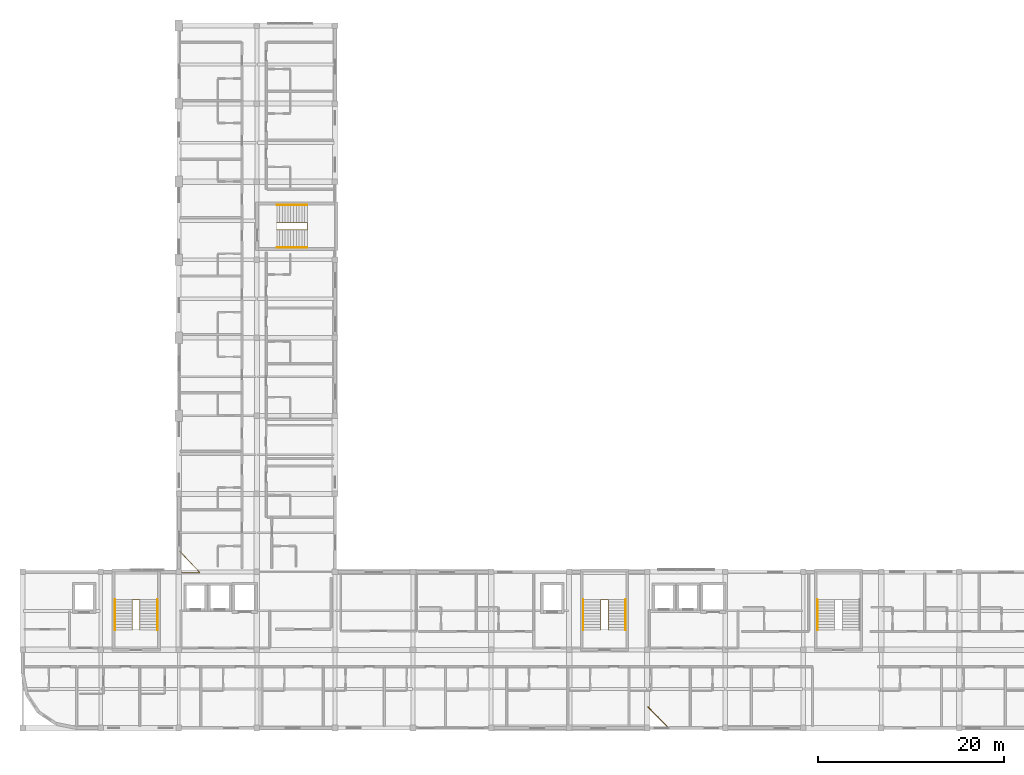
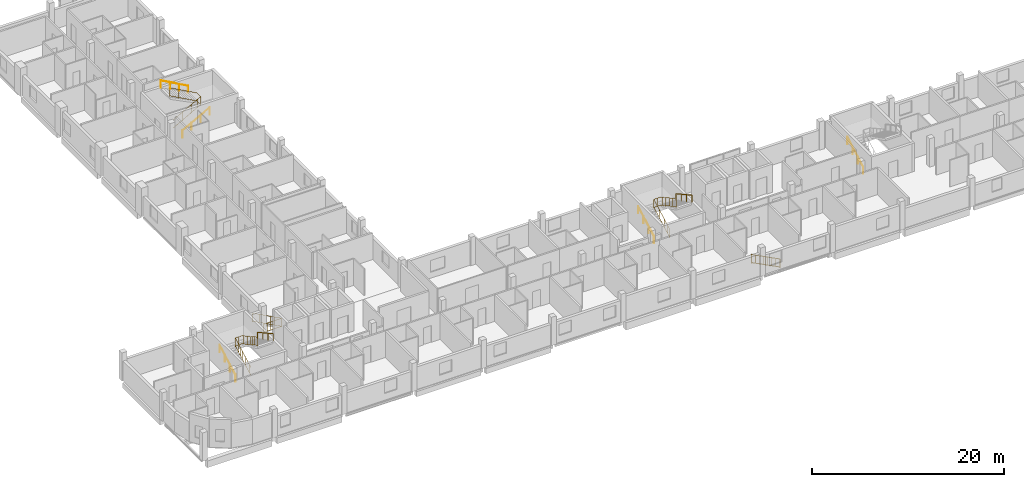
# One storey, part 23 of 24: 12 railings.
"""IFC4 building model written with IfcOpenShell, lengths in metres."""

from ifc_helpers import new_model, si_unit, derived_unit, direction, frame, origin, origin_2d, place, context, subcontext, project, spatial, circle, extrude, material, layer, layer_set, type_object, element, save


model = new_model("IFC4")

# Units and contexts
model_context = context("Model", 3, precision=1e-05, world=origin(), true_north=direction((0.0, 1.0)))
body_context = subcontext(model_context, "Body", "Model", "MODEL_VIEW")
ifc_project = project(units=[si_unit("LENGTHUNIT", "METRE"), si_unit("AREAUNIT", "SQUARE_METRE"), si_unit("VOLUMEUNIT", "CUBIC_METRE"), si_unit("PLANEANGLEUNIT", "RADIAN"), si_unit("MASSUNIT", "GRAM", prefix="KILO"), derived_unit("THERMALTRANSMITTANCEUNIT", [(si_unit("POWERUNIT", "WATT"), 1), (si_unit("LENGTHUNIT", "METRE"), -2), (si_unit("THERMODYNAMICTEMPERATUREUNIT", "KELVIN"), -1)])], contexts=[model_context])

# Site, building, storey
site_placement = place(None, origin())
site = spatial("IfcSite", under=ifc_project, at=site_placement, CompositionType="ELEMENT")
building_placement = place(site_placement, origin())
building = spatial("IfcBuilding", under=site, at=building_placement, Name="Barrovel Congress Hotel", CompositionType="ELEMENT")
storey_placement = place(building_placement, frame((0.0, 0.0, 29.10009765625)))
storey = spatial("IfcBuildingStorey", under=building, at=storey_placement, Name="L07", CompositionType="ELEMENT", Elevation=29.10009765625)

# Railings
ifc_material_1 = material(Name="Painted Architectural Steel", Category="steel")
ifc_layer_1 = layer(ifc_material_1, 0.070068359375)
ifc_layer_set_1 = layer_set([ifc_layer_1], Name="Painted Architectural Steel")
railing_type_1 = type_object("IfcRailingType", Name="RAIL-GUARD-INT", PredefinedType="BALUSTRADE", material=ifc_layer_set_1)
railing_1_placement = place(storey_placement, frame((28.60009765625, 14.739990234375, 0.0)))
element("IfcRailing", 1, at=railing_1_placement, inside=storey, type_object=railing_type_1, Name="STAIR:XS-01:L07:GR-W", PredefinedType="BALUSTRADE", context=body_context, shape_type="SweptSolid", body=[
    extrude(circle(Radius=0.02392578125, at=origin_2d()), frame((0.0, 0.0, 1.11572265625), z_axis=(0.0, 0.87606948578, 0.482184877495), x_axis=(-1.0, 0.0, 0.0)), (0.0, 0.0, 1.0), 3.732666015625),
    extrude(circle(Radius=0.02392578125, at=origin_2d()), frame((0.0, 0.0, 0.10009765625), z_axis=(0.0, 0.87606948578, 0.482184877495), x_axis=(-1.0, 0.0, 0.0)), (0.0, 0.0, 1.0), 3.732666015625),
    extrude(circle(Radius=0.010009765625, at=origin_2d()), frame((0.0, 0.36328125, 0.300048828125)), (0.0, 0.0, 1.0), 0.99169921875),
    extrude(circle(Radius=0.010009765625, at=origin_2d()), frame((0.0, 0.7265625, 0.5)), (0.0, 0.0, 1.0), 0.99169921875),
    extrude(circle(Radius=0.010009765625, at=origin_2d()), frame((0.0, 1.090087890625, 0.699951171875)), (0.0, 0.0, 1.0), 0.99169921875),
    extrude(circle(Radius=0.010009765625, at=origin_2d()), frame((0.0, 1.453369140625, 0.89990234375)), (0.0, 0.0, 1.0), 0.99169921875),
    extrude(circle(Radius=0.010009765625, at=origin_2d()), frame((0.0, 1.816650390625, 1.099853515625)), (0.0, 0.0, 1.0), 0.99169921875),
    extrude(circle(Radius=0.010009765625, at=origin_2d()), frame((0.0, 2.179931640625, 1.2998046875)), (0.0, 0.0, 1.0), 0.99169921875),
    extrude(circle(Radius=0.010009765625, at=origin_2d()), frame((0.0, 2.54345703125, 1.499755859375)), (0.0, 0.0, 1.0), 0.99169921875),
    extrude(circle(Radius=0.010009765625, at=origin_2d()), frame((0.0, 2.90673828125, 1.69970703125)), (0.0, 0.0, 1.0), 0.99169921875),
    extrude(circle(Radius=0.02392578125, at=origin_2d()), frame((0.0, 3.27001953125, 2.91552734375), z_axis=(1.0, 0.0, 0.0), x_axis=(0.0, 1.0, 0.0)), (0.0, 0.0, 1.0), 0.7998046875),
    extrude(circle(Radius=0.02392578125, at=origin_2d()), frame((0.0, 3.27001953125, 1.89990234375), z_axis=(1.0, 0.0, 0.0), x_axis=(0.0, 1.0, 0.0)), (0.0, 0.0, 1.0), 0.7998046875),
    extrude(circle(Radius=0.010009765625, at=origin_2d()), frame((0.39990234375, 3.27001953125, 1.89990234375)), (0.0, 0.0, 1.0), 0.99169921875),
    extrude(circle(Radius=0.02392578125, at=origin_2d()), frame((0.7998046875, 3.27001953125, 2.91552734375), z_axis=(0.0, -0.876041855244, 0.482235075311), x_axis=(1.0, 0.0, 0.0)), (0.0, 0.0, 1.0), 3.732666015625),
    extrude(circle(Radius=0.02392578125, at=origin_2d()), frame((0.7998046875, 3.27001953125, 1.89990234375), z_axis=(0.0, -0.876041855244, 0.482235075311), x_axis=(1.0, 0.0, 0.0)), (0.0, 0.0, 1.0), 3.732666015625),
    extrude(circle(Radius=0.010009765625, at=origin_2d()), frame((0.7998046875, 2.90673828125, 2.099853515625)), (0.0, 0.0, 1.0), 0.99169921875),
    extrude(circle(Radius=0.010009765625, at=origin_2d()), frame((0.7998046875, 2.54345703125, 2.2998046875)), (0.0, 0.0, 1.0), 0.99169921875),
    extrude(circle(Radius=0.010009765625, at=origin_2d()), frame((0.7998046875, 2.179931640625, 2.499755859375)), (0.0, 0.0, 1.0), 0.99169921875),
    extrude(circle(Radius=0.010009765625, at=origin_2d()), frame((0.7998046875, 1.816650390625, 2.69970703125)), (0.0, 0.0, 1.0), 0.99169921875),
    extrude(circle(Radius=0.010009765625, at=origin_2d()), frame((0.7998046875, 1.453369140625, 2.89990234375)), (0.0, 0.0, 1.0), 0.99169921875),
    extrude(circle(Radius=0.010009765625, at=origin_2d()), frame((0.7998046875, 1.090087890625, 3.099853515625)), (0.0, 0.0, 1.0), 0.99169921875),
    extrude(circle(Radius=0.010009765625, at=origin_2d()), frame((0.7998046875, 0.7265625, 3.2998046875)), (0.0, 0.0, 1.0), 0.99169921875),
    extrude(circle(Radius=0.010009765625, at=origin_2d()), frame((0.7998046875, 0.36328125, 3.499755859375)), (0.0, 0.0, 1.0), 0.99169921875),
    extrude(circle(Radius=0.02099609375, at=origin_2d()), origin(), (0.0, 0.0, 1.0), 1.091796875),
    extrude(circle(Radius=0.02099609375, at=origin_2d()), frame((0.0, 1.090087890625, 0.599853515625)), (0.0, 0.0, 1.0), 1.091796875),
    extrude(circle(Radius=0.02099609375, at=origin_2d()), frame((0.0, 2.179931640625, 1.199951171875)), (0.0, 0.0, 1.0), 1.091796875),
    extrude(circle(Radius=0.02099609375, at=origin_2d()), frame((0.0, 3.27001953125, 1.7998046875)), (0.0, 0.0, 1.0), 1.091796875),
    extrude(circle(Radius=0.02099609375, at=origin_2d()), frame((0.7998046875, 3.27001953125, 1.7998046875)), (0.0, 0.0, 1.0), 1.091796875),
    extrude(circle(Radius=0.02099609375, at=origin_2d()), frame((0.7998046875, 2.179931640625, 2.39990234375)), (0.0, 0.0, 1.0), 1.091796875),
    extrude(circle(Radius=0.02099609375, at=origin_2d()), frame((0.7998046875, 1.090087890625, 2.999755859375)), (0.0, 0.0, 1.0), 1.091796875),
    extrude(circle(Radius=0.02099609375, at=origin_2d()), frame((0.7998046875, 0.0, 3.599853515625)), (0.0, 0.0, 1.0), 1.091796875),
])
railing_2_placement = place(storey_placement, frame((79.0, 14.739990234375, 0.0)))
element("IfcRailing", 2, at=railing_2_placement, inside=storey, type_object=railing_type_1, Name="STAIR:XS-02:L07:GR-W", PredefinedType="BALUSTRADE", context=body_context, shape_type="SweptSolid", body=[
    extrude(circle(Radius=0.02392578125, at=origin_2d()), frame((0.0, 0.0, 1.11572265625), z_axis=(0.0, 0.87606948578, 0.482184877495), x_axis=(-1.0, 0.0, 0.0)), (0.0, 0.0, 1.0), 3.732666015625),
    extrude(circle(Radius=0.02392578125, at=origin_2d()), frame((0.0, 0.0, 0.10009765625), z_axis=(0.0, 0.87606948578, 0.482184877495), x_axis=(-1.0, 0.0, 0.0)), (0.0, 0.0, 1.0), 3.732666015625),
    extrude(circle(Radius=0.010009765625, at=origin_2d()), frame((0.0, 0.36328125, 0.300048828125)), (0.0, 0.0, 1.0), 0.99169921875),
    extrude(circle(Radius=0.010009765625, at=origin_2d()), frame((0.0, 0.7265625, 0.5)), (0.0, 0.0, 1.0), 0.99169921875),
    extrude(circle(Radius=0.010009765625, at=origin_2d()), frame((0.0, 1.090087890625, 0.699951171875)), (0.0, 0.0, 1.0), 0.99169921875),
    extrude(circle(Radius=0.010009765625, at=origin_2d()), frame((0.0, 1.453369140625, 0.89990234375)), (0.0, 0.0, 1.0), 0.99169921875),
    extrude(circle(Radius=0.010009765625, at=origin_2d()), frame((0.0, 1.816650390625, 1.099853515625)), (0.0, 0.0, 1.0), 0.99169921875),
    extrude(circle(Radius=0.010009765625, at=origin_2d()), frame((0.0, 2.179931640625, 1.2998046875)), (0.0, 0.0, 1.0), 0.99169921875),
    extrude(circle(Radius=0.010009765625, at=origin_2d()), frame((0.0, 2.54345703125, 1.499755859375)), (0.0, 0.0, 1.0), 0.99169921875),
    extrude(circle(Radius=0.010009765625, at=origin_2d()), frame((0.0, 2.90673828125, 1.69970703125)), (0.0, 0.0, 1.0), 0.99169921875),
    extrude(circle(Radius=0.02392578125, at=origin_2d()), frame((0.0, 3.27001953125, 2.91552734375), z_axis=(1.0, 0.0, 0.0), x_axis=(0.0, 1.0, 0.0)), (0.0, 0.0, 1.0), 0.800048828125),
    extrude(circle(Radius=0.02392578125, at=origin_2d()), frame((0.0, 3.27001953125, 1.89990234375), z_axis=(1.0, 0.0, 0.0), x_axis=(0.0, 1.0, 0.0)), (0.0, 0.0, 1.0), 0.800048828125),
    extrude(circle(Radius=0.010009765625, at=origin_2d()), frame((0.39990234375, 3.27001953125, 1.89990234375)), (0.0, 0.0, 1.0), 0.99169921875),
    extrude(circle(Radius=0.02392578125, at=origin_2d()), frame((0.800048828125, 3.27001953125, 2.91552734375), z_axis=(0.0, -0.876041855244, 0.482235075311), x_axis=(1.0, 0.0, 0.0)), (0.0, 0.0, 1.0), 3.732666015625),
    extrude(circle(Radius=0.02392578125, at=origin_2d()), frame((0.800048828125, 3.27001953125, 1.89990234375), z_axis=(0.0, -0.876041855244, 0.482235075311), x_axis=(1.0, 0.0, 0.0)), (0.0, 0.0, 1.0), 3.732666015625),
    extrude(circle(Radius=0.010009765625, at=origin_2d()), frame((0.800048828125, 2.90673828125, 2.099853515625)), (0.0, 0.0, 1.0), 0.99169921875),
    extrude(circle(Radius=0.010009765625, at=origin_2d()), frame((0.800048828125, 2.54345703125, 2.2998046875)), (0.0, 0.0, 1.0), 0.99169921875),
    extrude(circle(Radius=0.010009765625, at=origin_2d()), frame((0.800048828125, 2.179931640625, 2.499755859375)), (0.0, 0.0, 1.0), 0.99169921875),
    extrude(circle(Radius=0.010009765625, at=origin_2d()), frame((0.800048828125, 1.816650390625, 2.69970703125)), (0.0, 0.0, 1.0), 0.99169921875),
    extrude(circle(Radius=0.010009765625, at=origin_2d()), frame((0.800048828125, 1.453369140625, 2.89990234375)), (0.0, 0.0, 1.0), 0.99169921875),
    extrude(circle(Radius=0.010009765625, at=origin_2d()), frame((0.800048828125, 1.090087890625, 3.099853515625)), (0.0, 0.0, 1.0), 0.99169921875),
    extrude(circle(Radius=0.010009765625, at=origin_2d()), frame((0.800048828125, 0.7265625, 3.2998046875)), (0.0, 0.0, 1.0), 0.99169921875),
    extrude(circle(Radius=0.010009765625, at=origin_2d()), frame((0.800048828125, 0.36328125, 3.499755859375)), (0.0, 0.0, 1.0), 0.99169921875),
    extrude(circle(Radius=0.02099609375, at=origin_2d()), origin(), (0.0, 0.0, 1.0), 1.091796875),
    extrude(circle(Radius=0.02099609375, at=origin_2d()), frame((0.0, 1.090087890625, 0.599853515625)), (0.0, 0.0, 1.0), 1.091796875),
    extrude(circle(Radius=0.02099609375, at=origin_2d()), frame((0.0, 2.179931640625, 1.199951171875)), (0.0, 0.0, 1.0), 1.091796875),
    extrude(circle(Radius=0.02099609375, at=origin_2d()), frame((0.0, 3.27001953125, 1.7998046875)), (0.0, 0.0, 1.0), 1.091796875),
    extrude(circle(Radius=0.02099609375, at=origin_2d()), frame((0.800048828125, 3.27001953125, 1.7998046875)), (0.0, 0.0, 1.0), 1.091796875),
    extrude(circle(Radius=0.02099609375, at=origin_2d()), frame((0.800048828125, 2.179931640625, 2.39990234375)), (0.0, 0.0, 1.0), 1.091796875),
    extrude(circle(Radius=0.02099609375, at=origin_2d()), frame((0.800048828125, 1.090087890625, 2.999755859375)), (0.0, 0.0, 1.0), 1.091796875),
    extrude(circle(Radius=0.02099609375, at=origin_2d()), frame((0.800048828125, 0.0, 3.599853515625)), (0.0, 0.0, 1.0), 1.091796875),
])
railing_3_placement = place(storey_placement, frame((44.139892578125, 57.820068359375, 0.0)))
element("IfcRailing", 3, at=railing_3_placement, inside=storey, type_object=railing_type_1, Name="STAIR:XS-05:L07:GR-W", PredefinedType="BALUSTRADE", context=body_context, shape_type="SweptSolid", body=[
    extrude(circle(Radius=0.02392578125, at=origin_2d()), frame((0.0, 0.0, 1.11572265625), z_axis=(0.87606948578, 0.0, 0.482184877495), x_axis=(0.0, 1.0, 0.0)), (0.0, 0.0, 1.0), 3.732666015625),
    extrude(circle(Radius=0.02392578125, at=origin_2d()), frame((0.0, 0.0, 0.10009765625), z_axis=(0.87606948578, 0.0, 0.482184877495), x_axis=(0.0, 1.0, 0.0)), (0.0, 0.0, 1.0), 3.732666015625),
    extrude(circle(Radius=0.010009765625, at=origin_2d()), frame((0.36328125, 0.0, 0.300048828125)), (0.0, 0.0, 1.0), 0.99169921875),
    extrude(circle(Radius=0.010009765625, at=origin_2d()), frame((0.7265625, 0.0, 0.5)), (0.0, 0.0, 1.0), 0.99169921875),
    extrude(circle(Radius=0.010009765625, at=origin_2d()), frame((1.090087890625, 0.0, 0.699951171875)), (0.0, 0.0, 1.0), 0.99169921875),
    extrude(circle(Radius=0.010009765625, at=origin_2d()), frame((1.453369140625, 0.0, 0.89990234375)), (0.0, 0.0, 1.0), 0.99169921875),
    extrude(circle(Radius=0.010009765625, at=origin_2d()), frame((1.816650390625, 0.0, 1.099853515625)), (0.0, 0.0, 1.0), 0.99169921875),
    extrude(circle(Radius=0.010009765625, at=origin_2d()), frame((2.179931640625, 0.0, 1.2998046875)), (0.0, 0.0, 1.0), 0.99169921875),
    extrude(circle(Radius=0.010009765625, at=origin_2d()), frame((2.54345703125, 0.0, 1.499755859375)), (0.0, 0.0, 1.0), 0.99169921875),
    extrude(circle(Radius=0.010009765625, at=origin_2d()), frame((2.90673828125, 0.0, 1.69970703125)), (0.0, 0.0, 1.0), 0.99169921875),
    extrude(circle(Radius=0.02392578125, at=origin_2d()), frame((3.27001953125, 0.0, 2.91552734375), z_axis=(0.0, 1.0, 0.0), x_axis=(-1.0, 0.0, 0.0)), (0.0, 0.0, 1.0), 0.760009765625),
    extrude(circle(Radius=0.02392578125, at=origin_2d()), frame((3.27001953125, 0.0, 1.89990234375), z_axis=(0.0, 1.0, 0.0), x_axis=(-1.0, 0.0, 0.0)), (0.0, 0.0, 1.0), 0.760009765625),
    extrude(circle(Radius=0.010009765625, at=origin_2d()), frame((3.27001953125, 0.3798828125, 1.89990234375)), (0.0, 0.0, 1.0), 0.99169921875),
    extrude(circle(Radius=0.02392578125, at=origin_2d()), frame((3.27001953125, 0.760009765625, 2.91552734375), z_axis=(-0.876041855244, 0.0, 0.482235075311), x_axis=(0.0, -1.0, 0.0)), (0.0, 0.0, 1.0), 3.732666015625),
    extrude(circle(Radius=0.02392578125, at=origin_2d()), frame((3.27001953125, 0.760009765625, 1.89990234375), z_axis=(-0.876041855244, 0.0, 0.482235075311), x_axis=(0.0, -1.0, 0.0)), (0.0, 0.0, 1.0), 3.732666015625),
    extrude(circle(Radius=0.010009765625, at=origin_2d()), frame((2.90673828125, 0.760009765625, 2.099853515625)), (0.0, 0.0, 1.0), 0.99169921875),
    extrude(circle(Radius=0.010009765625, at=origin_2d()), frame((2.54345703125, 0.760009765625, 2.2998046875)), (0.0, 0.0, 1.0), 0.99169921875),
    extrude(circle(Radius=0.010009765625, at=origin_2d()), frame((2.179931640625, 0.760009765625, 2.499755859375)), (0.0, 0.0, 1.0), 0.99169921875),
    extrude(circle(Radius=0.010009765625, at=origin_2d()), frame((1.816650390625, 0.760009765625, 2.69970703125)), (0.0, 0.0, 1.0), 0.99169921875),
    extrude(circle(Radius=0.010009765625, at=origin_2d()), frame((1.453369140625, 0.760009765625, 2.89990234375)), (0.0, 0.0, 1.0), 0.99169921875),
    extrude(circle(Radius=0.010009765625, at=origin_2d()), frame((1.090087890625, 0.760009765625, 3.099853515625)), (0.0, 0.0, 1.0), 0.99169921875),
    extrude(circle(Radius=0.010009765625, at=origin_2d()), frame((0.7265625, 0.760009765625, 3.2998046875)), (0.0, 0.0, 1.0), 0.99169921875),
    extrude(circle(Radius=0.010009765625, at=origin_2d()), frame((0.36328125, 0.760009765625, 3.499755859375)), (0.0, 0.0, 1.0), 0.99169921875),
    extrude(circle(Radius=0.02099609375, at=origin_2d()), origin(), (0.0, 0.0, 1.0), 1.091796875),
    extrude(circle(Radius=0.02099609375, at=origin_2d()), frame((1.090087890625, 0.0, 0.599853515625)), (0.0, 0.0, 1.0), 1.091796875),
    extrude(circle(Radius=0.02099609375, at=origin_2d()), frame((2.179931640625, 0.0, 1.199951171875)), (0.0, 0.0, 1.0), 1.091796875),
    extrude(circle(Radius=0.02099609375, at=origin_2d()), frame((3.27001953125, 0.0, 1.7998046875)), (0.0, 0.0, 1.0), 1.091796875),
    extrude(circle(Radius=0.02099609375, at=origin_2d()), frame((3.27001953125, 0.760009765625, 1.7998046875)), (0.0, 0.0, 1.0), 1.091796875),
    extrude(circle(Radius=0.02099609375, at=origin_2d()), frame((2.179931640625, 0.760009765625, 2.39990234375)), (0.0, 0.0, 1.0), 1.091796875),
    extrude(circle(Radius=0.02099609375, at=origin_2d()), frame((1.090087890625, 0.760009765625, 2.999755859375)), (0.0, 0.0, 1.0), 1.091796875),
    extrude(circle(Radius=0.02099609375, at=origin_2d()), frame((0.0, 0.760009765625, 3.599853515625)), (0.0, 0.0, 1.0), 1.091796875),
])
railing_4_placement = place(storey_placement, frame((33.679931640625, 20.919921875, 0.0)))
element("IfcRailing", 4, at=railing_4_placement, inside=storey, type_object=railing_type_1, Name="RAIL:L07:CG-HW1", PredefinedType="BALUSTRADE", context=body_context, shape_type="SweptSolid", body=[
    extrude(circle(Radius=0.02392578125, at=origin_2d()), frame((0.0, 0.0, 1.11572265625), z_axis=(1.0, 0.0, 0.0), x_axis=(0.0, 1.0, 0.0)), (0.0, 0.0, 1.0), 2.170166015625),
    extrude(circle(Radius=0.02392578125, at=origin_2d()), frame((0.0, 0.0, 0.10009765625), z_axis=(1.0, 0.0, 0.0), x_axis=(0.0, 1.0, 0.0)), (0.0, 0.0, 1.0), 2.170166015625),
    extrude(circle(Radius=0.010009765625, at=origin_2d()), frame((0.43408203125, 0.0, 0.10009765625)), (0.0, 0.0, 1.0), 0.99169921875),
    extrude(circle(Radius=0.010009765625, at=origin_2d()), frame((0.8681640625, 0.0, 0.10009765625)), (0.0, 0.0, 1.0), 0.99169921875),
    extrude(circle(Radius=0.010009765625, at=origin_2d()), frame((1.302001953125, 0.0, 0.10009765625)), (0.0, 0.0, 1.0), 0.99169921875),
    extrude(circle(Radius=0.010009765625, at=origin_2d()), frame((1.736083984375, 0.0, 0.10009765625)), (0.0, 0.0, 1.0), 0.99169921875),
    extrude(circle(Radius=0.02392578125, at=origin_2d()), frame((2.170166015625, 0.0, 1.11572265625), z_axis=(-0.681550229161, 0.731771333909, 0.0), x_axis=(-0.731771333909, -0.681550229161, 0.0)), (0.0, 0.0, 1.0), 3.18408203125),
    extrude(circle(Radius=0.02392578125, at=origin_2d()), frame((2.170166015625, 0.0, 0.10009765625), z_axis=(-0.681550229161, 0.731771333909, 0.0), x_axis=(-0.731771333909, -0.681550229161, 0.0)), (0.0, 0.0, 1.0), 3.18408203125),
    extrude(circle(Radius=0.010009765625, at=origin_2d()), frame((1.89892578125, 0.291259765625, 0.10009765625)), (0.0, 0.0, 1.0), 0.99169921875),
    extrude(circle(Radius=0.010009765625, at=origin_2d()), frame((1.627685546875, 0.58251953125, 0.10009765625)), (0.0, 0.0, 1.0), 0.99169921875),
    extrude(circle(Radius=0.010009765625, at=origin_2d()), frame((1.3564453125, 0.873779296875, 0.10009765625)), (0.0, 0.0, 1.0), 0.99169921875),
    extrude(circle(Radius=0.010009765625, at=origin_2d()), frame((1.0849609375, 1.1650390625, 0.10009765625)), (0.0, 0.0, 1.0), 0.99169921875),
    extrude(circle(Radius=0.010009765625, at=origin_2d()), frame((0.813720703125, 1.456298828125, 0.10009765625)), (0.0, 0.0, 1.0), 0.99169921875),
    extrude(circle(Radius=0.010009765625, at=origin_2d()), frame((0.54248046875, 1.74755859375, 0.10009765625)), (0.0, 0.0, 1.0), 0.99169921875),
    extrude(circle(Radius=0.010009765625, at=origin_2d()), frame((0.271240234375, 2.038818359375, 0.10009765625)), (0.0, 0.0, 1.0), 0.99169921875),
    extrude(circle(Radius=0.02099609375, at=origin_2d()), origin(), (0.0, 0.0, 1.0), 1.091796875),
    extrude(circle(Radius=0.02099609375, at=origin_2d()), frame((1.0849609375, 0.0, 0.0)), (0.0, 0.0, 1.0), 1.091796875),
    extrude(circle(Radius=0.02099609375, at=origin_2d()), frame((2.170166015625, 0.0, 0.0)), (0.0, 0.0, 1.0), 1.091796875),
    extrude(circle(Radius=0.02099609375, at=origin_2d()), frame((1.0849609375, 1.1650390625, 0.0)), (0.0, 0.0, 1.0), 1.091796875),
    extrude(circle(Radius=0.02099609375, at=origin_2d()), frame((0.0, 2.330078125, 0.0)), (0.0, 0.0, 1.0), 1.091796875),
])
railing_5_placement = place(storey_placement, frame((86.25, 4.280029296875, 0.0)))
element("IfcRailing", 5, at=railing_5_placement, inside=storey, type_object=railing_type_1, Name="RAIL:L07:CG-HS2", PredefinedType="BALUSTRADE", context=body_context, shape_type="SweptSolid", body=[
    extrude(circle(Radius=0.02392578125, at=origin_2d()), frame((0.0, 0.0, 1.11572265625), z_axis=(-0.707106781187, 0.707106781187, 0.0), x_axis=(-0.707106781187, -0.707106781187, 0.0)), (0.0, 0.0, 1.0), 3.06884765625),
    extrude(circle(Radius=0.02392578125, at=origin_2d()), frame((0.0, 0.0, 0.10009765625), z_axis=(-0.707106781187, 0.707106781187, 0.0), x_axis=(-0.707106781187, -0.707106781187, 0.0)), (0.0, 0.0, 1.0), 3.06884765625),
    extrude(circle(Radius=0.010009765625, at=origin_2d()), frame((-0.31005859375, 0.31005859375, 0.10009765625)), (0.0, 0.0, 1.0), 0.99169921875),
    extrude(circle(Radius=0.010009765625, at=origin_2d()), frame((-0.619873046875, 0.619873046875, 0.10009765625)), (0.0, 0.0, 1.0), 0.99169921875),
    extrude(circle(Radius=0.010009765625, at=origin_2d()), frame((-0.929931640625, 0.929931640625, 0.10009765625)), (0.0, 0.0, 1.0), 0.99169921875),
    extrude(circle(Radius=0.010009765625, at=origin_2d()), frame((-1.239990234375, 1.239990234375, 0.10009765625)), (0.0, 0.0, 1.0), 0.99169921875),
    extrude(circle(Radius=0.010009765625, at=origin_2d()), frame((-1.550048828125, 1.550048828125, 0.10009765625)), (0.0, 0.0, 1.0), 0.99169921875),
    extrude(circle(Radius=0.010009765625, at=origin_2d()), frame((-1.85986328125, 1.85986328125, 0.10009765625)), (0.0, 0.0, 1.0), 0.99169921875),
    extrude(circle(Radius=0.02099609375, at=origin_2d()), origin(), (0.0, 0.0, 1.0), 1.091796875),
    extrude(circle(Radius=0.02099609375, at=origin_2d()), frame((-1.0849609375, 1.0849609375, 0.0)), (0.0, 0.0, 1.0), 1.091796875),
    extrude(circle(Radius=0.02099609375, at=origin_2d()), frame((-2.169921875, 2.169921875, 0.0)), (0.0, 0.0, 1.0), 1.091796875),
])
ifc_material_2 = material(Name="Brushed Stainless Steel", Category="steel")
ifc_layer_2 = layer(ifc_material_2, 0.050048828125)
ifc_layer_set_2 = layer_set([ifc_layer_2], Name="Brushed Stainless Steel")
railing_type_2 = type_object("IfcRailingType", Name="RAIL-HAND", PredefinedType="HANDRAIL", material=ifc_layer_set_2)
railing_6_placement = place(storey_placement, frame((26.719970703125, 14.739990234375, 0.0)))
element("IfcRailing", 6, at=railing_6_placement, inside=storey, type_object=railing_type_2, Name="STAIR:XS-01:L07:HR-1", PredefinedType="HANDRAIL", context=body_context, shape_type="SweptSolid", body=[
    extrude(circle(Radius=0.02392578125, at=origin_2d()), frame((0.0, 0.0, 0.89599609375), z_axis=(0.0, 0.87606948578, 0.482184877495), x_axis=(-1.0, 0.0, 0.0)), (0.0, 0.0, 1.0), 3.732666015625),
    extrude(circle(Radius=0.02099609375, at=origin_2d()), origin(), (0.0, 0.0, 1.0), 0.871826171875),
    extrude(circle(Radius=0.02099609375, at=origin_2d()), frame((0.0, 1.090087890625, 0.599853515625)), (0.0, 0.0, 1.0), 0.871826171875),
    extrude(circle(Radius=0.02099609375, at=origin_2d()), frame((0.0, 2.179931640625, 1.199951171875)), (0.0, 0.0, 1.0), 0.871826171875),
    extrude(circle(Radius=0.02099609375, at=origin_2d()), frame((0.0, 3.27001953125, 1.7998046875)), (0.0, 0.0, 1.0), 0.871826171875),
])
railing_7_placement = place(storey_placement, frame((31.280029296875, 18.010009765625, 1.7998046875)))
element("IfcRailing", 7, at=railing_7_placement, inside=storey, type_object=railing_type_2, Name="STAIR:XS-01:L07:HR-2", PredefinedType="HANDRAIL", context=body_context, shape_type="SweptSolid", body=[
    extrude(circle(Radius=0.02392578125, at=origin_2d()), frame((0.0, 0.0, 0.89599609375), z_axis=(0.0, -0.876041855244, 0.482235075311), x_axis=(1.0, 0.0, 0.0)), (0.0, 0.0, 1.0), 3.732666015625),
    extrude(circle(Radius=0.02099609375, at=origin_2d()), origin(), (0.0, 0.0, 1.0), 0.871826171875),
    extrude(circle(Radius=0.02099609375, at=origin_2d()), frame((0.0, -1.090087890625, 0.60009765625)), (0.0, 0.0, 1.0), 0.871826171875),
    extrude(circle(Radius=0.02099609375, at=origin_2d()), frame((0.0, -2.179931640625, 1.199951171875)), (0.0, 0.0, 1.0), 0.871826171875),
    extrude(circle(Radius=0.02099609375, at=origin_2d()), frame((0.0, -3.27001953125, 1.800048828125)), (0.0, 0.0, 1.0), 0.871826171875),
])
railing_8_placement = place(storey_placement, frame((77.1201171875, 14.739990234375, 0.0)))
element("IfcRailing", 8, at=railing_8_placement, inside=storey, type_object=railing_type_2, Name="STAIR:XS-02:L07:HR-1", PredefinedType="HANDRAIL", context=body_context, shape_type="SweptSolid", body=[
    extrude(circle(Radius=0.02392578125, at=origin_2d()), frame((0.0, 0.0, 0.89599609375), z_axis=(0.0, 0.87606948578, 0.482184877495), x_axis=(-1.0, 0.0, 0.0)), (0.0, 0.0, 1.0), 3.732666015625),
    extrude(circle(Radius=0.02099609375, at=origin_2d()), origin(), (0.0, 0.0, 1.0), 0.871826171875),
    extrude(circle(Radius=0.02099609375, at=origin_2d()), frame((0.0, 1.090087890625, 0.599853515625)), (0.0, 0.0, 1.0), 0.871826171875),
    extrude(circle(Radius=0.02099609375, at=origin_2d()), frame((0.0, 2.179931640625, 1.199951171875)), (0.0, 0.0, 1.0), 0.871826171875),
    extrude(circle(Radius=0.02099609375, at=origin_2d()), frame((0.0, 3.27001953125, 1.7998046875)), (0.0, 0.0, 1.0), 0.871826171875),
])
railing_9_placement = place(storey_placement, frame((81.679931640625, 18.010009765625, 1.7998046875)))
element("IfcRailing", 9, at=railing_9_placement, inside=storey, type_object=railing_type_2, Name="STAIR:XS-02:L07:HR-2", PredefinedType="HANDRAIL", context=body_context, shape_type="SweptSolid", body=[
    extrude(circle(Radius=0.02392578125, at=origin_2d()), frame((0.0, 0.0, 0.89599609375), z_axis=(0.0, -0.876041855244, 0.482235075311), x_axis=(1.0, 0.0, 0.0)), (0.0, 0.0, 1.0), 3.732666015625),
    extrude(circle(Radius=0.02099609375, at=origin_2d()), origin(), (0.0, 0.0, 1.0), 0.871826171875),
    extrude(circle(Radius=0.02099609375, at=origin_2d()), frame((0.0, -1.090087890625, 0.60009765625)), (0.0, 0.0, 1.0), 0.871826171875),
    extrude(circle(Radius=0.02099609375, at=origin_2d()), frame((0.0, -2.179931640625, 1.199951171875)), (0.0, 0.0, 1.0), 0.871826171875),
    extrude(circle(Radius=0.02099609375, at=origin_2d()), frame((0.0, -3.27001953125, 1.800048828125)), (0.0, 0.0, 1.0), 0.871826171875),
])
railing_10_placement = place(storey_placement, frame((102.320068359375, 14.739990234375, 0.0)))
element("IfcRailing", 10, at=railing_10_placement, inside=storey, type_object=railing_type_2, Name="STAIR:XS-03:L07:HR-1", PredefinedType="HANDRAIL", context=body_context, shape_type="SweptSolid", body=[
    extrude(circle(Radius=0.02392578125, at=origin_2d()), frame((0.0, 0.0, 0.89599609375), z_axis=(0.0, 0.87606948578, 0.482184877495), x_axis=(-1.0, 0.0, 0.0)), (0.0, 0.0, 1.0), 3.732666015625),
    extrude(circle(Radius=0.02099609375, at=origin_2d()), origin(), (0.0, 0.0, 1.0), 0.871826171875),
    extrude(circle(Radius=0.02099609375, at=origin_2d()), frame((0.0, 1.090087890625, 0.599853515625)), (0.0, 0.0, 1.0), 0.871826171875),
    extrude(circle(Radius=0.02099609375, at=origin_2d()), frame((0.0, 2.179931640625, 1.199951171875)), (0.0, 0.0, 1.0), 0.871826171875),
    extrude(circle(Radius=0.02099609375, at=origin_2d()), frame((0.0, 3.27001953125, 1.7998046875)), (0.0, 0.0, 1.0), 0.871826171875),
])
railing_11_placement = place(storey_placement, frame((44.139892578125, 55.919921875, 0.0)))
element("IfcRailing", 11, at=railing_11_placement, inside=storey, type_object=railing_type_2, Name="STAIR:XS-05:L07:HR-1", PredefinedType="HANDRAIL", context=body_context, shape_type="SweptSolid", body=[
    extrude(circle(Radius=0.02392578125, at=origin_2d()), frame((0.0, 0.0, 0.89599609375), z_axis=(0.87606948578, 0.0, 0.482184877495), x_axis=(0.0, 1.0, 0.0)), (0.0, 0.0, 1.0), 3.732666015625),
    extrude(circle(Radius=0.02099609375, at=origin_2d()), origin(), (0.0, 0.0, 1.0), 0.871826171875),
    extrude(circle(Radius=0.02099609375, at=origin_2d()), frame((1.090087890625, 0.0, 0.599853515625)), (0.0, 0.0, 1.0), 0.871826171875),
    extrude(circle(Radius=0.02099609375, at=origin_2d()), frame((2.179931640625, 0.0, 1.199951171875)), (0.0, 0.0, 1.0), 0.871826171875),
    extrude(circle(Radius=0.02099609375, at=origin_2d()), frame((3.27001953125, 0.0, 1.7998046875)), (0.0, 0.0, 1.0), 0.871826171875),
])
railing_12_placement = place(storey_placement, frame((47.409912109375, 60.47998046875, 1.7998046875)))
element("IfcRailing", 12, at=railing_12_placement, inside=storey, type_object=railing_type_2, Name="STAIR:XS-05:L07:HR-2", PredefinedType="HANDRAIL", context=body_context, shape_type="SweptSolid", body=[
    extrude(circle(Radius=0.02392578125, at=origin_2d()), frame((0.0, 0.0, 0.89599609375), z_axis=(-0.876041855244, 0.0, 0.482235075311), x_axis=(0.0, -1.0, 0.0)), (0.0, 0.0, 1.0), 3.732666015625),
    extrude(circle(Radius=0.02099609375, at=origin_2d()), origin(), (0.0, 0.0, 1.0), 0.871826171875),
    extrude(circle(Radius=0.02099609375, at=origin_2d()), frame((-1.090087890625, 0.0, 0.60009765625)), (0.0, 0.0, 1.0), 0.871826171875),
    extrude(circle(Radius=0.02099609375, at=origin_2d()), frame((-2.179931640625, 0.0, 1.199951171875)), (0.0, 0.0, 1.0), 0.871826171875),
    extrude(circle(Radius=0.02099609375, at=origin_2d()), frame((-3.27001953125, 0.0, 1.800048828125)), (0.0, 0.0, 1.0), 0.871826171875),
])

save(model, "model.ifc")
